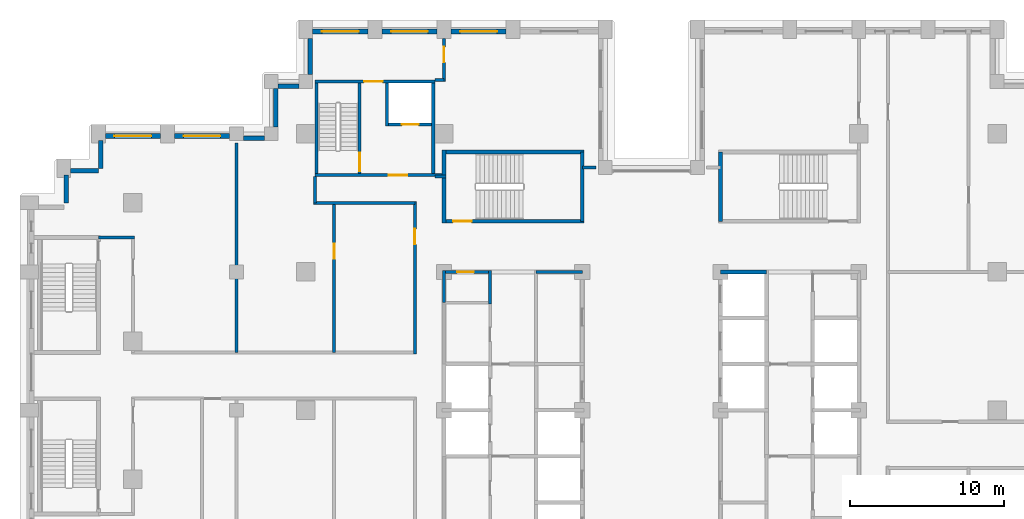
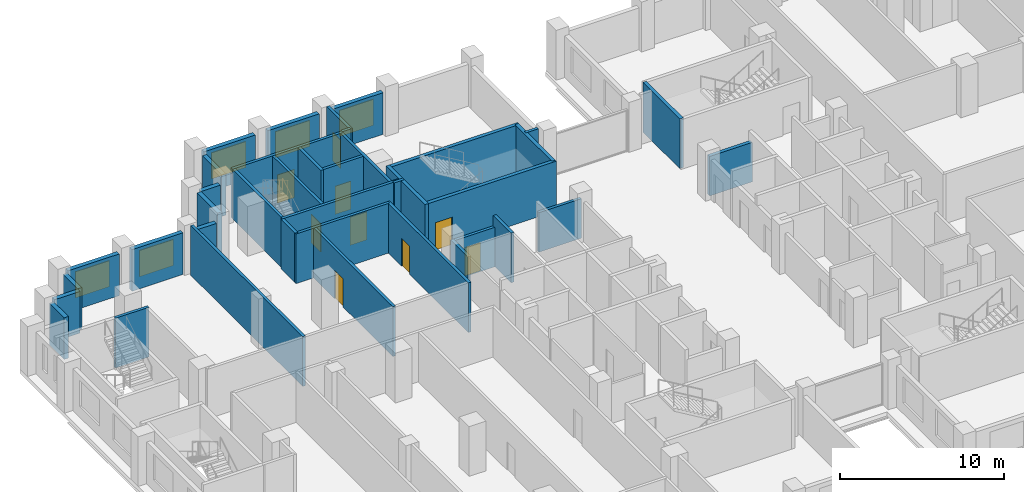
# One storey, part 10 of 16: 39 walls, 9 doors, 5 windows, 14 openings.
"""IFC4 building model written with IfcOpenShell, lengths in metres."""

import ifcopenshell
import ifcopenshell.guid

model = None  # the IFC model being written
_history = None  # IfcOwnerHistory: only IFC2X3 demands one
_inside = {}  # id of a spatial element -> (the spatial element, [elements in it])
_under = {}  # id of a project, library or spatial element -> (it, [spatial elements below it])
_declared = {}  # id of a project -> (the project, [libraries it declares])
_typed = {}  # id of a type object -> (the type object, [elements of that type])
_made_of = {}  # id of a material, layer set ... -> (it, [elements and type objects made of it])


def new_model(schema):
    """Start an empty IFC model of exactly this schema.

    Asked for "IFC4X3", IfcOpenShell would pick the latest addendum, in which some entities
    have other attributes; the version numbers below select the first issue.
    IFC2X3 requires an IfcOwnerHistory on every rooted entity: one is made here for all.
    """
    global model, _history
    if schema == "IFC4X3":
        model = ifcopenshell.file(schema_version=(4, 3, 0, 0))
    else:
        model = ifcopenshell.file(schema=schema)
    _inside.clear()
    _under.clear()
    _declared.clear()
    _typed.clear()
    _made_of.clear()
    _history = None
    if model.schema == "IFC2X3":
        org = make("IfcOrganization", Name="unknown")
        user = make(
            "IfcPersonAndOrganization",
            ThePerson=make("IfcPerson", FamilyName="unknown"),
            TheOrganization=org,
        )
        app = make(
            "IfcApplication",
            ApplicationDeveloper=org,
            Version="unknown",
            ApplicationFullName="unknown",
            ApplicationIdentifier="unknown",
        )
        _history = make(
            "IfcOwnerHistory",
            OwningUser=user,
            OwningApplication=app,
            ChangeAction="ADDED",
            CreationDate=0,
        )
    return model


def make(cls, **values):
    """One entity of the class cls with the attributes given. An attribute that is None is left unset."""
    return model.create_entity(
        cls, **{name: value for name, value in values.items() if value is not None}
    )


def rooted(cls, **values):
    """An entity with a GlobalId (a new one), such as an element, a storey or a relation."""
    return make(cls, GlobalId=ifcopenshell.guid.new(), OwnerHistory=_history, **values)


def si_unit(unit_type, name, prefix=None):
    """IfcSIUnit, for example si_unit("LENGTHUNIT", "METRE", prefix="MILLI")."""
    return make("IfcSIUnit", UnitType=unit_type, Prefix=prefix, Name=name)


def assignment(units):
    """IfcUnitAssignment: the units of a project."""
    return None if units is None else make("IfcUnitAssignment", Units=units)


def point(xyz):
    """IfcCartesianPoint."""
    return None if xyz is None else make("IfcCartesianPoint", Coordinates=xyz)


def direction(xyz):
    """IfcDirection."""
    return None if xyz is None else make("IfcDirection", DirectionRatios=xyz)


def frame(location, z_axis=None, x_axis=None):
    """IfcAxis2Placement3D, a coordinate frame: its origin and axes. An axis left out is left unset."""
    return make(
        "IfcAxis2Placement3D",
        Location=point(location),
        Axis=direction(z_axis),
        RefDirection=direction(x_axis),
    )


def frame_2d(location, x_axis=None):
    """IfcAxis2Placement2D, a coordinate frame in the plane: its origin and x axis."""
    return make(
        "IfcAxis2Placement2D", Location=point(location), RefDirection=direction(x_axis)
    )


def origin():
    """The frame at (0, 0, 0) with its axes left unset."""
    return frame((0.0, 0.0, 0.0))


def place(relative_to, where):
    """IfcLocalPlacement: puts the frame where relative to a parent placement (None: the world)."""
    return make(
        "IfcLocalPlacement", PlacementRelTo=relative_to, RelativePlacement=where
    )


def context(
    kind, dimensions, precision=None, world=None, true_north=None, identifier=None
):
    """IfcGeometricRepresentationContext, for example the 3D "Model" context."""
    return make(
        "IfcGeometricRepresentationContext",
        ContextIdentifier=identifier,
        ContextType=kind,
        CoordinateSpaceDimension=dimensions,
        Precision=precision,
        WorldCoordinateSystem=world,
        TrueNorth=true_north,
    )


def subcontext(parent, identifier, kind, view, scale=None):
    """IfcGeometricRepresentationSubContext, for example "Body" below "Model"."""
    return make(
        "IfcGeometricRepresentationSubContext",
        ContextIdentifier=identifier,
        ContextType=kind,
        ParentContext=parent,
        TargetScale=scale,
        TargetView=view,
    )


def project(units=None, contexts=None):
    """IfcProject with its units and contexts."""
    return rooted(
        "IfcProject",
        Name="project",
        RepresentationContexts=contexts,
        UnitsInContext=assignment(units),
    )


def spatial(cls, under=None, at=None, **own):
    """A site, building, storey or space (cls), placed at a placement, below another one or the project."""
    s = rooted(cls, ObjectPlacement=at, **own)
    if under is not None:
        _under.setdefault(under.id(), (under, []))[1].append(s)
    return s


def profile(cls, at=None, kind="AREA", **sizes):
    """A parametric profile (cls). Its sizes go by their IFC names, for example OverallWidth=200.0."""
    return make(cls, ProfileType=kind, Position=at, **sizes)


def rectangle(**sizes):
    """IfcRectangleProfileDef."""
    return profile("IfcRectangleProfileDef", **sizes)


def extrude(swept, where, along, depth):
    """IfcExtrudedAreaSolid: the profile swept, set in the frame where, extruded along a direction by depth."""
    return make(
        "IfcExtrudedAreaSolid",
        SweptArea=swept,
        Position=where,
        ExtrudedDirection=direction(along),
        Depth=depth,
    )


def shape(context_of_items, identifier, shape_type, items):
    """IfcShapeRepresentation: the items that make up one representation, for example the "Body"."""
    return make(
        "IfcShapeRepresentation",
        ContextOfItems=context_of_items,
        RepresentationIdentifier=identifier,
        RepresentationType=shape_type,
        Items=items,
    )


def material(Name=None, Category=None):
    """IfcMaterial."""
    return make("IfcMaterial", Name=Name, Category=Category)


def layer(
    of_material, thickness, ventilated=None, Name=None, Category=None, Priority=None
):
    """IfcMaterialLayer: one layer of a wall or slab, of a material (None: an air gap)."""
    return make(
        "IfcMaterialLayer",
        Material=of_material,
        LayerThickness=thickness,
        IsVentilated=ventilated,
        Name=Name,
        Category=Category,
        Priority=Priority,
    )


def layer_set(layers, Name=None):
    """IfcMaterialLayerSet."""
    return make("IfcMaterialLayerSet", MaterialLayers=layers, LayerSetName=Name)


def made_of(thing, what):
    """Note that an element or type object is made of a material, layer set ...; save() writes the relation."""
    if what is not None:
        _made_of.setdefault(what.id(), (what, []))[1].append(thing)
    return thing


def type_object(cls, material=None, **own):
    """A type object (cls), such as IfcWallType, which elements share."""
    return made_of(rooted(cls, **own), material)


def element(
    cls,
    number,
    at=None,
    inside=None,
    cuts=None,
    type_object=None,
    material=None,
    context=None,
    identifier="Body",
    shape_type=None,
    held_by="IfcProductDefinitionShape",
    body=None,
    shapes=None,
    **own,
):
    """One element of the class cls, such as IfcWall. Its Tag is "e" and its number.

    at: its placement. inside: the storey or other place that contains it. cuts: it is an
    opening in that element (IfcRelVoidsElement). A single representation is given by context,
    identifier, shape_type and body (its items); several are given by shapes. held_by: the class
    of the entity that holds the representations. save() writes the other relations.
    """
    e = rooted(cls, Tag="e%d" % number, ObjectPlacement=at, **own)
    if body is not None:
        shapes = [shape(context, identifier, shape_type, body)]
    if shapes is not None:
        e.Representation = make(held_by, Representations=shapes)
    if inside is not None:
        _inside.setdefault(inside.id(), (inside, []))[1].append(e)
    if cuts is not None:
        rooted(
            "IfcRelVoidsElement", RelatingBuildingElement=cuts, RelatedOpeningElement=e
        )
    if type_object is not None:
        _typed.setdefault(type_object.id(), (type_object, []))[1].append(e)
    return made_of(e, material)


def fill(opening, filler):
    """IfcRelFillsElement: the door or window that sits in an opening."""
    return rooted(
        "IfcRelFillsElement",
        RelatingOpeningElement=opening,
        RelatedBuildingElement=filler,
    )


def aggregate(whole, parts):
    """IfcRelAggregates: a whole, such as a stair, and the parts it consists of."""
    return rooted("IfcRelAggregates", RelatingObject=whole, RelatedObjects=parts)


def save(model, path):
    """Write the relations noted so far, then the file.

    IfcRelAggregates (storeys below a building ...), IfcRelContainedInSpatialStructure (elements
    in a storey), IfcRelDefinesByType, IfcRelAssociatesMaterial and IfcRelDeclares: one each for
    every whole, place, type object, material and project.
    """
    for whole, parts in _under.values():
        aggregate(whole, parts)
    for where, things in _inside.values():
        rooted(
            "IfcRelContainedInSpatialStructure",
            RelatedElements=things,
            RelatingStructure=where,
        )
    for kind, things in _typed.values():
        rooted("IfcRelDefinesByType", RelatedObjects=things, RelatingType=kind)
    for what, things in _made_of.values():
        rooted("IfcRelAssociatesMaterial", RelatedObjects=things, RelatingMaterial=what)
    for by, libraries in _declared.values():
        rooted("IfcRelDeclares", RelatingContext=by, RelatedDefinitions=libraries)
    model.write(path)


model = new_model("IFC4")

# Units and contexts
model_context = context("Model", 3, precision=1e-05, world=origin(), true_north=direction((0.0, 1.0)))
body_context = subcontext(model_context, "Body", "Model", "MODEL_VIEW")
ifc_project = project(units=[si_unit("LENGTHUNIT", "METRE"), si_unit("AREAUNIT", "SQUARE_METRE"), si_unit("VOLUMEUNIT", "CUBIC_METRE"), si_unit("PLANEANGLEUNIT", "RADIAN"), si_unit("MASSUNIT", "GRAM", prefix="KILO")], contexts=[model_context])

# Site, building, storey
site_placement = place(None, origin())
site = spatial("IfcSite", under=ifc_project, at=site_placement, CompositionType="ELEMENT")
building_placement = place(site_placement, origin())
building = spatial("IfcBuilding", under=site, at=building_placement, Name="Corbelhall Arena Tower", CompositionType="ELEMENT")
storey_placement = place(building_placement, frame((0.0, 0.0, 104.0)))
storey = spatial("IfcBuildingStorey", under=building, at=storey_placement, Name="L18", CompositionType="ELEMENT", Elevation=104.0)

# Walls
ifc_material_1 = material(Name="Precast concrete C40/50 with granite facing", Category="masonry")
ifc_layer_1 = layer(ifc_material_1, 0.300048828125)
ifc_layer_set_1 = layer_set([ifc_layer_1], Name="EV-IW1 Infill panel 300")
wall_type_1 = type_object("IfcWallType", Name="EV-IW1 Infill panel 300", PredefinedType="SOLIDWALL", material=ifc_layer_set_1)
for number, where, z_axis, x_axis, name in (
    (1, (-35.85009765625, 17.550048828125, 0.0), (0.0, 0.0, 1.0), (0.0, -1.0, 0.0), "Infill panel IW1"),
    (2, (-37.800048828125, 15.60009765625, 0.0), (0.0, 0.0, 1.0), (1.0, 0.0, 0.0), "Infill panel IW1"),
    (3, (-38.10009765625, 15.300048828125, 0.0), (0.0, 0.0, 1.0), (0.0, -1.0, 0.0), "Infill panel IW1"),
):
    element("IfcWall", number, at=place(storey_placement, frame(where, z_axis=z_axis, x_axis=x_axis)), inside=storey, type_object=wall_type_1, Name=name, PredefinedType="SOLIDWALL", context=body_context, shape_type="SweptSolid", body=[
        extrude(rectangle(XDim=1.800048828125, YDim=0.300048828125, at=frame_2d((0.89990234375, 0.0))), origin(), (0.0, 0.0, 1.0), 3.10009765625),
    ])
wall_1_placement = place(storey_placement, frame((-22.199951171875, 24.199951171875, 0.0), z_axis=(0.0, 0.0, 1.0), x_axis=(0.0, -1.0, 0.0)))
element("IfcWall", 4, at=wall_1_placement, inside=storey, type_object=wall_type_1, Name="Infill panel IW1", PredefinedType="SOLIDWALL", context=body_context, shape_type="SweptSolid", body=[
    extrude(rectangle(XDim=2.349853515625, YDim=0.300048828125, at=frame_2d((1.1748046875, 0.0))), origin(), (0.0, 0.0, 1.0), 3.10009765625),
])
wall_2_placement = place(storey_placement, frame((-22.949951171875, 21.10009765625, 0.0), z_axis=(0.0, 0.0, 1.0), x_axis=(-1.0, 0.0, 0.0)))
element("IfcWall", 5, at=wall_2_placement, inside=storey, type_object=wall_type_1, Name="Infill panel IW1", PredefinedType="SOLIDWALL", context=body_context, shape_type="SweptSolid", body=[
    extrude(rectangle(XDim=1.35009765625, YDim=0.300048828125, at=frame_2d((0.675048828125, 0.0))), origin(), (0.0, 0.0, 1.0), 3.10009765625),
])
wall_3_placement = place(storey_placement, frame((-24.449951171875, 20.949951171875, 0.0), z_axis=(0.0, 0.0, 1.0), x_axis=(0.0, -1.0, 0.0)))
element("IfcWall", 6, at=wall_3_placement, inside=storey, type_object=wall_type_1, Name="Infill panel IW1", PredefinedType="SOLIDWALL", context=body_context, shape_type="SweptSolid", body=[
    extrude(rectangle(XDim=2.5, YDim=0.300048828125, at=frame_2d((1.25, 0.0))), origin(), (0.0, 0.0, 1.0), 3.10009765625),
])
wall_4_placement = place(storey_placement, frame((-25.199951171875, 17.699951171875, 0.0), z_axis=(0.0, 0.0, 1.0), x_axis=(-1.0, 0.0, 0.0)))
element("IfcWall", 7, at=wall_4_placement, inside=storey, type_object=wall_type_1, Name="Infill panel IW1", PredefinedType="SOLIDWALL", context=body_context, shape_type="SweptSolid", body=[
    extrude(rectangle(XDim=1.35009765625, YDim=0.300048828125, at=frame_2d((0.675048828125, 0.0))), origin(), (0.0, 0.0, 1.0), 3.10009765625),
])

# Wall, opening, window
wall_5_placement = place(storey_placement, frame((-27.449951171875, 17.85009765625, 0.0), z_axis=(0.0, 0.0, 1.0), x_axis=(-1.0, 0.0, 0.0)))
wall_5 = element("IfcWall", 8, at=wall_5_placement, inside=storey, type_object=wall_type_1, Name="Infill panel IW1", PredefinedType="SOLIDWALL", context=body_context, shape_type="SweptSolid", body=[
    extrude(rectangle(XDim=3.60009765625, YDim=0.300048828125, at=frame_2d((1.800048828125, 0.0))), origin(), (0.0, 0.0, 1.0), 3.10009765625),
])
opening_1_placement = place(wall_5_placement, frame((0.60009765625, 0.0, 0.800048828125)))
opening_1 = element("IfcOpeningElement", 9, at=opening_1_placement, cuts=wall_5, Name="Opening WN1", PredefinedType="OPENING", context=body_context, shape_type="SweptSolid", body=[
    extrude(rectangle(XDim=2.39990234375, YDim=1.949951171875, at=frame_2d((1.199951171875, 0.97509765625))), frame((0.0, 0.14990234375, 0.0), z_axis=(0.0, -1.0, 0.0), x_axis=(1.0, 0.0, 0.0)), (0.0, 0.0, 1.0), 0.300048828125),
])
ifc_material_2 = material(Name="Aluminium black anodised", Category="aluminium")
window_type = type_object("IfcWindowType", Name="EV-WN1 Office window", PartitioningType="SINGLE_PANEL", PredefinedType="WINDOW", material=ifc_material_2)
window_1_placement = place(opening_1_placement, origin())
window_1 = element("IfcWindow", 10, at=window_1_placement, inside=storey, type_object=window_type, Name="Window WN1", OverallHeight=1.949951171875, OverallWidth=2.39990234375, PartitioningType="SINGLE_PANEL", PredefinedType="WINDOW", context=body_context, shape_type="SweptSolid", body=[
    extrude(rectangle(XDim=2.39990234375, YDim=1.949951171875, at=frame_2d((1.199951171875, 0.97509765625))), frame((0.0, 0.030029296875, 0.0), z_axis=(0.0, -1.0, 0.0), x_axis=(1.0, 0.0, 0.0)), (0.0, 0.0, 1.0), 0.06005859375),
])
fill(opening_1, window_1)

wall_6_placement = place(storey_placement, frame((-31.949951171875, 17.85009765625, 0.0), z_axis=(0.0, 0.0, 1.0), x_axis=(-1.0, 0.0, 0.0)))
wall_6 = element("IfcWall", 11, at=wall_6_placement, inside=storey, type_object=wall_type_1, Name="Infill panel IW1", PredefinedType="SOLIDWALL", context=body_context, shape_type="SweptSolid", body=[
    extrude(rectangle(XDim=3.60009765625, YDim=0.300048828125, at=frame_2d((1.800048828125, 0.0))), origin(), (0.0, 0.0, 1.0), 3.10009765625),
])
opening_2_placement = place(wall_6_placement, frame((0.60009765625, 0.0, 0.800048828125)))
opening_2 = element("IfcOpeningElement", 12, at=opening_2_placement, cuts=wall_6, Name="Opening WN1", PredefinedType="OPENING", context=body_context, shape_type="SweptSolid", body=[
    extrude(rectangle(XDim=2.39990234375, YDim=1.949951171875, at=frame_2d((1.199951171875, 0.97509765625))), frame((0.0, 0.14990234375, 0.0), z_axis=(0.0, -1.0, 0.0), x_axis=(1.0, 0.0, 0.0)), (0.0, 0.0, 1.0), 0.300048828125),
])
window_2_placement = place(opening_2_placement, origin())
window_2 = element("IfcWindow", 13, at=window_2_placement, inside=storey, type_object=window_type, Name="Window WN1", OverallHeight=1.949951171875, OverallWidth=2.39990234375, PartitioningType="SINGLE_PANEL", PredefinedType="WINDOW", context=body_context, shape_type="SweptSolid", body=[
    extrude(rectangle(XDim=2.39990234375, YDim=1.949951171875, at=frame_2d((1.199951171875, 0.97509765625))), frame((0.0, 0.030029296875, 0.0), z_axis=(0.0, -1.0, 0.0), x_axis=(1.0, 0.0, 0.0)), (0.0, 0.0, 1.0), 0.06005859375),
])
fill(opening_2, window_2)

wall_7_placement = place(storey_placement, frame((-9.449951171875, 24.64990234375, 0.0), z_axis=(0.0, 0.0, 1.0), x_axis=(-1.0, 0.0, 0.0)))
wall_7 = element("IfcWall", 14, at=wall_7_placement, inside=storey, type_object=wall_type_1, Name="Infill panel IW1", PredefinedType="SOLIDWALL", context=body_context, shape_type="SweptSolid", body=[
    extrude(rectangle(XDim=3.60009765625, YDim=0.300048828125, at=frame_2d((1.800048828125, 0.0))), origin(), (0.0, 0.0, 1.0), 3.10009765625),
])
opening_3_placement = place(wall_7_placement, frame((0.60009765625, 0.0, 0.800048828125)))
opening_3 = element("IfcOpeningElement", 15, at=opening_3_placement, cuts=wall_7, Name="Opening WN1", PredefinedType="OPENING", context=body_context, shape_type="SweptSolid", body=[
    extrude(rectangle(XDim=2.39990234375, YDim=1.949951171875, at=frame_2d((1.199951171875, 0.97509765625))), frame((0.0, 0.14990234375, 0.0), z_axis=(0.0, -1.0, 0.0), x_axis=(1.0, 0.0, 0.0)), (0.0, 0.0, 1.0), 0.300048828125),
])
window_3_placement = place(opening_3_placement, origin())
window_3 = element("IfcWindow", 16, at=window_3_placement, inside=storey, type_object=window_type, Name="Window WN1", OverallHeight=1.949951171875, OverallWidth=2.39990234375, PartitioningType="SINGLE_PANEL", PredefinedType="WINDOW", context=body_context, shape_type="SweptSolid", body=[
    extrude(rectangle(XDim=2.39990234375, YDim=1.949951171875, at=frame_2d((1.199951171875, 0.97509765625))), frame((0.0, 0.030029296875, 0.0), z_axis=(0.0, -1.0, 0.0), x_axis=(1.0, 0.0, 0.0)), (0.0, 0.0, 1.0), 0.06005859375),
])
fill(opening_3, window_3)

wall_8_placement = place(storey_placement, frame((-13.949951171875, 24.64990234375, 0.0), z_axis=(0.0, 0.0, 1.0), x_axis=(-1.0, 0.0, 0.0)))
wall_8 = element("IfcWall", 17, at=wall_8_placement, inside=storey, type_object=wall_type_1, Name="Infill panel IW1", PredefinedType="SOLIDWALL", context=body_context, shape_type="SweptSolid", body=[
    extrude(rectangle(XDim=3.60009765625, YDim=0.300048828125, at=frame_2d((1.800048828125, 0.0))), origin(), (0.0, 0.0, 1.0), 3.10009765625),
])
opening_4_placement = place(wall_8_placement, frame((0.60009765625, 0.0, 0.800048828125)))
opening_4 = element("IfcOpeningElement", 18, at=opening_4_placement, cuts=wall_8, Name="Opening WN1", PredefinedType="OPENING", context=body_context, shape_type="SweptSolid", body=[
    extrude(rectangle(XDim=2.39990234375, YDim=1.949951171875, at=frame_2d((1.199951171875, 0.97509765625))), frame((0.0, 0.14990234375, 0.0), z_axis=(0.0, -1.0, 0.0), x_axis=(1.0, 0.0, 0.0)), (0.0, 0.0, 1.0), 0.300048828125),
])
window_4_placement = place(opening_4_placement, origin())
window_4 = element("IfcWindow", 19, at=window_4_placement, inside=storey, type_object=window_type, Name="Window WN1", OverallHeight=1.949951171875, OverallWidth=2.39990234375, PartitioningType="SINGLE_PANEL", PredefinedType="WINDOW", context=body_context, shape_type="SweptSolid", body=[
    extrude(rectangle(XDim=2.39990234375, YDim=1.949951171875, at=frame_2d((1.199951171875, 0.97509765625))), frame((0.0, 0.030029296875, 0.0), z_axis=(0.0, -1.0, 0.0), x_axis=(1.0, 0.0, 0.0)), (0.0, 0.0, 1.0), 0.06005859375),
])
fill(opening_4, window_4)

wall_9_placement = place(storey_placement, frame((-18.449951171875, 24.64990234375, 0.0), z_axis=(0.0, 0.0, 1.0), x_axis=(-1.0, 0.0, 0.0)))
wall_9 = element("IfcWall", 20, at=wall_9_placement, inside=storey, type_object=wall_type_1, Name="Infill panel IW1", PredefinedType="SOLIDWALL", context=body_context, shape_type="SweptSolid", body=[
    extrude(rectangle(XDim=3.60009765625, YDim=0.300048828125, at=frame_2d((1.800048828125, 0.0))), origin(), (0.0, 0.0, 1.0), 3.10009765625),
])
opening_5_placement = place(wall_9_placement, frame((0.60009765625, 0.0, 0.800048828125)))
opening_5 = element("IfcOpeningElement", 21, at=opening_5_placement, cuts=wall_9, Name="Opening WN1", PredefinedType="OPENING", context=body_context, shape_type="SweptSolid", body=[
    extrude(rectangle(XDim=2.39990234375, YDim=1.949951171875, at=frame_2d((1.199951171875, 0.97509765625))), frame((0.0, 0.14990234375, 0.0), z_axis=(0.0, -1.0, 0.0), x_axis=(1.0, 0.0, 0.0)), (0.0, 0.0, 1.0), 0.300048828125),
])
window_5_placement = place(opening_5_placement, origin())
window_5 = element("IfcWindow", 22, at=window_5_placement, inside=storey, type_object=window_type, Name="Window WN1", OverallHeight=1.949951171875, OverallWidth=2.39990234375, PartitioningType="SINGLE_PANEL", PredefinedType="WINDOW", context=body_context, shape_type="SweptSolid", body=[
    extrude(rectangle(XDim=2.39990234375, YDim=1.949951171875, at=frame_2d((1.199951171875, 0.97509765625))), frame((0.0, 0.030029296875, 0.0), z_axis=(0.0, -1.0, 0.0), x_axis=(1.0, 0.0, 0.0)), (0.0, 0.0, 1.0), 0.06005859375),
])
fill(opening_5, window_5)

# Walls
ifc_material_3 = material(Name="Gypsum board on steel stud, acoustic", Category="steel")
ifc_layer_2 = layer(ifc_material_3, 0.199951171875)
ifc_layer_set_2 = layer_set([ifc_layer_2], Name="IN-W-DM200")
wall_type_2 = type_object("IfcWallType", Name="IN-W-DM200", PredefinedType="PARTITIONING", material=ifc_layer_set_2)
wall_10_placement = place(storey_placement, frame((-36.0, 11.25, 0.0), z_axis=(0.0, 0.0, 1.0), x_axis=(1.0, 0.0, 0.0)))
element("IfcWall", 23, at=wall_10_placement, inside=storey, type_object=wall_type_2, Name="Partition 001", PredefinedType="PARTITIONING", context=body_context, shape_type="SweptSolid", body=[
    extrude(rectangle(XDim=2.35009765625, YDim=0.199951171875, at=frame_2d((1.175048828125, 0.0))), origin(), (0.0, 0.0, 1.0), 3.699951171875),
])
wall_11_placement = place(storey_placement, frame((-27.0, 3.75, 0.0), z_axis=(0.0, 0.0, 1.0), x_axis=(0.0, 1.0, 0.0)))
element("IfcWall", 24, at=wall_11_placement, inside=storey, type_object=wall_type_2, Name="Partition 009", PredefinedType="PARTITIONING", context=body_context, shape_type="SweptSolid", body=[
    extrude(rectangle(XDim=13.64990234375, YDim=0.199951171875, at=frame_2d((6.824951171875, 0.0))), origin(), (0.0, 0.0, 1.0), 3.699951171875),
])
wall_12_placement = place(storey_placement, frame((-21.89990234375, 13.5, 0.0), z_axis=(0.0, 0.0, 1.0), x_axis=(0.0, 1.0, 0.0)))
element("IfcWall", 25, at=wall_12_placement, inside=storey, type_object=wall_type_2, Name="Partition 011", PredefinedType="PARTITIONING", context=body_context, shape_type="SweptSolid", body=[
    extrude(rectangle(XDim=1.699951171875, YDim=0.199951171875, at=frame_2d((0.85009765625, 0.0))), origin(), (0.0, 0.0, 1.0), 3.699951171875),
])

# Wall, opening, door
wall_13_placement = place(storey_placement, frame((-20.64990234375, 3.75, 0.0), z_axis=(0.0, 0.0, 1.0), x_axis=(0.0, 1.0, 0.0)))
wall_13 = element("IfcWall", 26, at=wall_13_placement, inside=storey, type_object=wall_type_2, Name="Partition 013", PredefinedType="PARTITIONING", context=body_context, shape_type="SweptSolid", body=[
    extrude(rectangle(XDim=9.75, YDim=0.199951171875, at=frame_2d((4.875, 0.0))), origin(), (0.0, 0.0, 1.0), 3.699951171875),
])
opening_6_placement = place(wall_13_placement, frame((6.10009765625, 0.0, 0.0)))
opening_6 = element("IfcOpeningElement", 27, at=opening_6_placement, cuts=wall_13, Name="Opening 04028", PredefinedType="OPENING", context=body_context, shape_type="SweptSolid", body=[
    extrude(rectangle(XDim=1.0, YDim=2.10009765625, at=frame_2d((0.5, 1.050048828125))), frame((0.0, 0.10009765625, 0.0), z_axis=(0.0, -1.0, 0.0), x_axis=(1.0, 0.0, 0.0)), (0.0, 0.0, 1.0), 0.199951171875),
])
ifc_material_4 = material(Name="Steel door set", Category="steel")
door_type_1 = type_object("IfcDoorType", Name="IN-D-SW100", OperationType="NOTDEFINED", PredefinedType="DOOR", material=ifc_material_4)
door_1_placement = place(opening_6_placement, origin())
door_1 = element("IfcDoor", 28, at=door_1_placement, inside=storey, type_object=door_type_1, Name="Door 028", OperationType="SINGLE_SWING_LEFT", OverallHeight=2.10009765625, OverallWidth=1.0, PredefinedType="DOOR", context=body_context, shape_type="SweptSolid", body=[
    extrude(rectangle(XDim=1.0, YDim=2.10009765625, at=frame_2d((0.5, 1.050048828125))), frame((0.0, 0.02490234375, 0.0), z_axis=(0.0, -1.0, 0.0), x_axis=(1.0, 0.0, 0.0)), (0.0, 0.0, 1.0), 0.050048828125),
])
fill(opening_6, door_1)

# Wall
wall_14_placement = place(storey_placement, frame((-15.39990234375, 13.5, 0.0), z_axis=(0.0, 0.0, 1.0), x_axis=(-1.0, 0.0, 0.0)))
element("IfcWall", 29, at=wall_14_placement, inside=storey, type_object=wall_type_2, Name="Partition 014", PredefinedType="PARTITIONING", context=body_context, shape_type="SweptSolid", body=[
    extrude(rectangle(XDim=6.60009765625, YDim=0.199951171875, at=frame_2d((3.300048828125, 0.0))), origin(), (0.0, 0.0, 1.0), 3.699951171875),
])

# Wall, opening, door
wall_15_placement = place(storey_placement, frame((-15.39990234375, 3.64990234375, 0.0), z_axis=(0.0, 0.0, 1.0), x_axis=(0.0, 1.0, 0.0)))
wall_15 = element("IfcWall", 30, at=wall_15_placement, inside=storey, type_object=wall_type_2, Name="Partition 016", PredefinedType="PARTITIONING", context=body_context, shape_type="SweptSolid", body=[
    extrude(rectangle(XDim=9.9501953125, YDim=0.199951171875, at=frame_2d((4.97509765625, 0.0))), origin(), (0.0, 0.0, 1.0), 3.699951171875),
])
opening_7_placement = place(wall_15_placement, frame((7.14990234375, 0.0, 0.0)))
opening_7 = element("IfcOpeningElement", 31, at=opening_7_placement, cuts=wall_15, Name="Opening 04027", PredefinedType="OPENING", context=body_context, shape_type="SweptSolid", body=[
    extrude(rectangle(XDim=1.0, YDim=2.10009765625, at=frame_2d((0.5, 1.050048828125))), frame((0.0, 0.10009765625, 0.0), z_axis=(0.0, -1.0, 0.0), x_axis=(1.0, 0.0, 0.0)), (0.0, 0.0, 1.0), 0.199951171875),
])
door_2_placement = place(opening_7_placement, origin())
door_2 = element("IfcDoor", 32, at=door_2_placement, inside=storey, type_object=door_type_1, Name="Door 027", OperationType="SINGLE_SWING_RIGHT", OverallHeight=2.10009765625, OverallWidth=1.0, PredefinedType="DOOR", context=body_context, shape_type="SweptSolid", body=[
    extrude(rectangle(XDim=1.0, YDim=2.10009765625, at=frame_2d((0.5, 1.050048828125))), frame((0.0, 0.02490234375, 0.0), z_axis=(0.0, -1.0, 0.0), x_axis=(1.0, 0.0, 0.0)), (0.0, 0.0, 1.0), 0.050048828125),
])
fill(opening_7, door_2)

# Walls
wall_16_placement = place(storey_placement, frame((-14.10009765625, 15.199951171875, 0.0), z_axis=(0.0, 0.0, 1.0), x_axis=(1.0, 0.0, 0.0)))
element("IfcWall", 33, at=wall_16_placement, inside=storey, type_object=wall_type_2, Name="Partition 017", PredefinedType="PARTITIONING", context=body_context, shape_type="SweptSolid", body=[
    extrude(rectangle(XDim=0.72509765625, YDim=0.199951171875, at=frame_2d((0.362548828125, 0.0))), origin(), (0.0, 0.0, 1.0), 3.699951171875),
])
wall_17_placement = place(storey_placement, frame((-13.5, 21.5, 0.0), z_axis=(0.0, 0.0, 1.0), x_axis=(-1.0, 0.0, 0.0)))
element("IfcWall", 34, at=wall_17_placement, inside=storey, type_object=wall_type_2, Name="Partition 019", PredefinedType="PARTITIONING", context=body_context, shape_type="SweptSolid", body=[
    extrude(rectangle(XDim=0.60009765625, YDim=0.199951171875, at=frame_2d((0.300048828125, 0.0))), origin(), (0.0, 0.0, 1.0), 3.699951171875),
])

# Wall, opening, door
wall_18_placement = place(storey_placement, frame((-13.5, 24.199951171875, 0.0), z_axis=(0.0, 0.0, 1.0), x_axis=(0.0, -1.0, 0.0)))
wall_18 = element("IfcWall", 35, at=wall_18_placement, inside=storey, type_object=wall_type_2, Name="Partition 020", PredefinedType="PARTITIONING", context=body_context, shape_type="SweptSolid", body=[
    extrude(rectangle(XDim=2.800048828125, YDim=0.199951171875, at=frame_2d((1.39990234375, 0.0))), origin(), (0.0, 0.0, 1.0), 3.699951171875),
])
opening_8_placement = place(wall_18_placement, frame((0.550048828125, 0.0, 0.0)))
opening_8 = element("IfcOpeningElement", 36, at=opening_8_placement, cuts=wall_18, Name="Opening 04023", PredefinedType="OPENING", context=body_context, shape_type="SweptSolid", body=[
    extrude(rectangle(XDim=1.0, YDim=2.10009765625, at=frame_2d((0.5, 1.050048828125))), frame((0.0, 0.10009765625, 0.0), z_axis=(0.0, -1.0, 0.0), x_axis=(1.0, 0.0, 0.0)), (0.0, 0.0, 1.0), 0.199951171875),
])
door_3_placement = place(opening_8_placement, origin())
door_3 = element("IfcDoor", 37, at=door_3_placement, inside=storey, type_object=door_type_1, Name="Door 023", OperationType="SINGLE_SWING_RIGHT", OverallHeight=2.10009765625, OverallWidth=1.0, PredefinedType="DOOR", context=body_context, shape_type="SweptSolid", body=[
    extrude(rectangle(XDim=1.0, YDim=2.10009765625, at=frame_2d((0.5, 1.050048828125))), frame((0.0, 0.02490234375, 0.0), z_axis=(0.0, -1.0, 0.0), x_axis=(1.0, 0.0, 0.0)), (0.0, 0.0, 1.0), 0.050048828125),
])
fill(opening_8, door_3)

# Wall
wall_19_placement = place(storey_placement, frame((-4.5, 15.800048828125, 0.0), z_axis=(0.0, 0.0, 1.0), x_axis=(1.0, 0.0, 0.0)))
element("IfcWall", 38, at=wall_19_placement, inside=storey, type_object=wall_type_2, Name="Partition 021", PredefinedType="PARTITIONING", context=body_context, shape_type="SweptSolid", body=[
    extrude(rectangle(XDim=0.89990234375, YDim=0.199951171875, at=frame_2d((0.449951171875, 0.0))), origin(), (0.0, 0.0, 1.0), 3.699951171875),
])

# Wall, opening, door
ifc_material_5 = material(Name="Concrete C40/50", Category="concrete")
ifc_layer_3 = layer(ifc_material_5, 0.199951171875)
ifc_layer_set_3 = layer_set([ifc_layer_3], Name="IN-W-EAR200")
wall_type_3 = type_object("IfcWallType", Name="IN-W-EAR200", PredefinedType="SOLIDWALL", material=ifc_layer_set_3)
wall_20_placement = place(storey_placement, frame((-21.89990234375, 15.300048828125, 0.0), z_axis=(0.0, 0.0, 1.0), x_axis=(1.0, 0.0, 0.0)))
wall_20 = element("IfcWall", 39, at=wall_20_placement, inside=storey, type_object=wall_type_3, Name="Fire service turret wall south", PredefinedType="SOLIDWALL", context=body_context, shape_type="SweptSolid", body=[
    extrude(rectangle(XDim=8.27490234375, YDim=0.199951171875, at=frame_2d((4.137451171875, 0.0))), origin(), (0.0, 0.0, 1.0), 3.699951171875),
])
opening_9_placement = place(wall_20_placement, frame((4.800048828125, 0.0, 0.0)))
opening_9 = element("IfcOpeningElement", 40, at=opening_9_placement, cuts=wall_20, Name="Opening E042", PredefinedType="OPENING", context=body_context, shape_type="SweptSolid", body=[
    extrude(rectangle(XDim=1.199951171875, YDim=2.10009765625, at=frame_2d((0.60009765625, 1.050048828125))), frame((0.0, 0.10009765625, 0.0), z_axis=(0.0, -1.0, 0.0), x_axis=(1.0, 0.0, 0.0)), (0.0, 0.0, 1.0), 0.199951171875),
])
door_type_2 = type_object("IfcDoorType", Name="IN-D-ST120", OperationType="NOTDEFINED", PredefinedType="DOOR", material=ifc_material_4)
door_4_placement = place(opening_9_placement, origin())
door_4 = element("IfcDoor", 41, at=door_4_placement, inside=storey, type_object=door_type_2, Name="Door from fire service lift lobby to circulation", OperationType="SINGLE_SWING_RIGHT", OverallHeight=2.10009765625, OverallWidth=1.199951171875, PredefinedType="DOOR", context=body_context, shape_type="SweptSolid", body=[
    extrude(rectangle(XDim=1.199951171875, YDim=2.10009765625, at=frame_2d((0.60009765625, 1.050048828125))), frame((0.0, 0.02490234375, 0.0), z_axis=(0.0, -1.0, 0.0), x_axis=(1.0, 0.0, 0.0)), (0.0, 0.0, 1.0), 0.050048828125),
])
fill(opening_9, door_4)

wall_21_placement = place(storey_placement, frame((-21.89990234375, 21.39990234375, 0.0), z_axis=(0.0, 0.0, 1.0), x_axis=(1.0, 0.0, 0.0)))
wall_21 = element("IfcWall", 42, at=wall_21_placement, inside=storey, type_object=wall_type_3, Name="Fire service turret wall north", PredefinedType="SOLIDWALL", context=body_context, shape_type="SweptSolid", body=[
    extrude(rectangle(XDim=7.7998046875, YDim=0.199951171875, at=frame_2d((3.89990234375, 0.0))), origin(), (0.0, 0.0, 1.0), 3.699951171875),
])
opening_10_placement = place(wall_21_placement, frame((3.199951171875, 0.0, 0.0)))
opening_10 = element("IfcOpeningElement", 43, at=opening_10_placement, cuts=wall_21, Name="Opening E043", PredefinedType="OPENING", context=body_context, shape_type="SweptSolid", body=[
    extrude(rectangle(XDim=1.199951171875, YDim=2.10009765625, at=frame_2d((0.60009765625, 1.050048828125))), frame((0.0, 0.10009765625, 0.0), z_axis=(0.0, -1.0, 0.0), x_axis=(1.0, 0.0, 0.0)), (0.0, 0.0, 1.0), 0.199951171875),
])
door_5_placement = place(opening_10_placement, origin())
door_5 = element("IfcDoor", 44, at=door_5_placement, inside=storey, type_object=door_type_2, Name="Door from fire service lift lobby to the north gallery", OperationType="SINGLE_SWING_LEFT", OverallHeight=2.10009765625, OverallWidth=1.199951171875, PredefinedType="DOOR", context=body_context, shape_type="SweptSolid", body=[
    extrude(rectangle(XDim=1.199951171875, YDim=2.10009765625, at=frame_2d((0.60009765625, 1.050048828125))), frame((0.0, 0.02490234375, 0.0), z_axis=(0.0, -1.0, 0.0), x_axis=(1.0, 0.0, 0.0)), (0.0, 0.0, 1.0), 0.050048828125),
])
fill(opening_10, door_5)

# Walls
for number, where, z_axis, x_axis, name in (
    (45, (-21.800048828125, 15.39990234375, 0.0), (0.0, 0.0, 1.0), (0.0, 1.0, 0.0), "Fire service turret wall west"),
    (46, (-14.199951171875, 15.39990234375, 0.0), (0.0, 0.0, 1.0), (0.0, 1.0, 0.0), "Fire service turret wall east"),
):
    element("IfcWall", number, at=place(storey_placement, frame(where, z_axis=z_axis, x_axis=x_axis)), inside=storey, type_object=wall_type_3, Name=name, PredefinedType="SOLIDWALL", context=body_context, shape_type="SweptSolid", body=[
        extrude(rectangle(XDim=5.900146484375, YDim=0.199951171875, at=frame_2d((2.9501953125, 0.0))), origin(), (0.0, 0.0, 1.0), 3.699951171875),
    ])

# Wall, opening, door
wall_22_placement = place(storey_placement, frame((-18.989990234375, 15.39990234375, 0.0), z_axis=(0.0, 0.0, 1.0), x_axis=(0.0, 1.0, 0.0)))
wall_22 = element("IfcWall", 47, at=wall_22_placement, inside=storey, type_object=wall_type_3, Name="Fire service turret wall stair", PredefinedType="SOLIDWALL", context=body_context, shape_type="SweptSolid", body=[
    extrude(rectangle(XDim=5.900146484375, YDim=0.199951171875, at=frame_2d((2.9501953125, 0.0))), origin(), (0.0, 0.0, 1.0), 3.699951171875),
])
opening_11_placement = place(wall_22_placement, frame((0.14990234375, 0.0, 0.0)))
opening_11 = element("IfcOpeningElement", 48, at=opening_11_placement, cuts=wall_22, Name="Opening E041", PredefinedType="OPENING", context=body_context, shape_type="SweptSolid", body=[
    extrude(rectangle(XDim=1.199951171875, YDim=2.10009765625, at=frame_2d((0.60009765625, 1.050048828125))), frame((0.0, 0.10009765625, 0.0), z_axis=(0.0, -1.0, 0.0), x_axis=(1.0, 0.0, 0.0)), (0.0, 0.0, 1.0), 0.199951171875),
])
door_6_placement = place(opening_11_placement, origin())
door_6 = element("IfcDoor", 49, at=door_6_placement, inside=storey, type_object=door_type_2, Name="Stair door to fire service lobby", OperationType="SINGLE_SWING_LEFT", OverallHeight=2.10009765625, OverallWidth=1.199951171875, PredefinedType="DOOR", context=body_context, shape_type="SweptSolid", body=[
    extrude(rectangle(XDim=1.199951171875, YDim=2.10009765625, at=frame_2d((0.60009765625, 1.050048828125))), frame((0.0, 0.02490234375, 0.0), z_axis=(0.0, -1.0, 0.0), x_axis=(1.0, 0.0, 0.0)), (0.0, 0.0, 1.0), 0.050048828125),
])
fill(opening_11, door_6)

# Wall
wall_23_placement = place(storey_placement, frame((-17.199951171875, 18.5, 0.0), z_axis=(0.0, 0.0, 1.0), x_axis=(0.0, 1.0, 0.0)))
element("IfcWall", 50, at=wall_23_placement, inside=storey, type_object=wall_type_3, Name="Fire service turret wall hoistway west", PredefinedType="SOLIDWALL", context=body_context, shape_type="SweptSolid", body=[
    extrude(rectangle(XDim=2.800048828125, YDim=0.199951171875, at=frame_2d((1.39990234375, 0.0))), origin(), (0.0, 0.0, 1.0), 3.699951171875),
])

# Wall, opening, door
wall_24_placement = place(storey_placement, frame((-17.10009765625, 18.60009765625, 0.0), z_axis=(0.0, 0.0, 1.0), x_axis=(1.0, 0.0, 0.0)))
wall_24 = element("IfcWall", 51, at=wall_24_placement, inside=storey, type_object=wall_type_3, Name="Fire service turret wall hoistway south", PredefinedType="SOLIDWALL", context=body_context, shape_type="SweptSolid", body=[
    extrude(rectangle(XDim=2.800048828125, YDim=0.199951171875, at=frame_2d((1.39990234375, 0.0))), origin(), (0.0, 0.0, 1.0), 3.699951171875),
])
opening_12_placement = place(wall_24_placement, frame((0.85009765625, 0.0, 0.0)))
opening_12 = element("IfcOpeningElement", 52, at=opening_12_placement, cuts=wall_24, Name="Opening LD", PredefinedType="OPENING", context=body_context, shape_type="SweptSolid", body=[
    extrude(rectangle(XDim=1.10009765625, YDim=2.10009765625, at=frame_2d((0.550048828125, 1.050048828125))), frame((0.0, 0.10009765625, 0.0), z_axis=(0.0, -1.0, 0.0), x_axis=(1.0, 0.0, 0.0)), (0.0, 0.0, 1.0), 0.199951171875),
])
door_type_3 = type_object("IfcDoorType", Name="IN-D-LD110", OperationType="NOTDEFINED", PredefinedType="DOOR", material=ifc_material_4)
door_7_placement = place(opening_12_placement, origin())
door_7 = element("IfcDoor", 53, at=door_7_placement, inside=storey, type_object=door_type_3, Name="Landing door FS1", OperationType="SLIDING_TO_LEFT", OverallHeight=2.10009765625, OverallWidth=1.10009765625, PredefinedType="DOOR", context=body_context, shape_type="SweptSolid", body=[
    extrude(rectangle(XDim=1.10009765625, YDim=2.10009765625, at=frame_2d((0.550048828125, 1.050048828125))), frame((0.0, 0.02490234375, 0.0), z_axis=(0.0, -1.0, 0.0), x_axis=(1.0, 0.0, 0.0)), (0.0, 0.0, 1.0), 0.050048828125),
])
fill(opening_12, door_7)

# Walls
ifc_material_6 = material(Name="Concrete block wall", Category="concrete")
ifc_layer_4 = layer(ifc_material_6, 0.199951171875)
ifc_layer_set_4 = layer_set([ifc_layer_4], Name="IN-W-RS200")
wall_type_4 = type_object("IfcWallType", Name="IN-W-RS200", PredefinedType="SOLIDWALL", material=ifc_layer_set_4)
wall_25_placement = place(storey_placement, frame((-10.5, 6.925048828125, 0.0), z_axis=(0.0, 0.0, 1.0), x_axis=(0.0, 1.0, 0.0)))
element("IfcWall", 54, at=wall_25_placement, inside=storey, type_object=wall_type_4, Name="Partition 046", PredefinedType="SOLIDWALL", context=body_context, shape_type="SweptSolid", body=[
    extrude(rectangle(XDim=2.175048828125, YDim=0.199951171875, at=frame_2d((1.08740234375, 0.0))), origin(), (0.0, 0.0, 1.0), 3.699951171875),
])
ifc_layer_5 = layer(ifc_material_6, 0.199951171875)
ifc_layer_set_5 = layer_set([ifc_layer_5], Name="IN-W-RS200 under beam 762 mm")
wall_type_5 = type_object("IfcWallType", Name="IN-W-RS200 under beam 762 mm", PredefinedType="SOLIDWALL", material=ifc_layer_set_5)
wall_26_placement = place(storey_placement, frame((-13.5, 7.0, 0.0), z_axis=(0.0, 0.0, 1.0), x_axis=(0.0, 1.0, 0.0)))
element("IfcWall", 55, at=wall_26_placement, inside=storey, type_object=wall_type_5, Name="Partition 044", PredefinedType="SOLIDWALL", context=body_context, shape_type="SweptSolid", body=[
    extrude(rectangle(XDim=2.10009765625, YDim=0.199951171875, at=frame_2d((1.050048828125, 0.0))), origin(), (0.0, 0.0, 1.0), 2.93798828125),
])

# Wall, opening, door
wall_27_placement = place(storey_placement, frame((-13.5, 9.0, 0.0), z_axis=(0.0, 0.0, 1.0), x_axis=(1.0, 0.0, 0.0)))
wall_27 = element("IfcWall", 56, at=wall_27_placement, inside=storey, type_object=wall_type_5, Name="Partition 045", PredefinedType="SOLIDWALL", context=body_context, shape_type="SweptSolid", body=[
    extrude(rectangle(XDim=3.0, YDim=0.199951171875, at=frame_2d((1.5, 0.0))), origin(), (0.0, 0.0, 1.0), 2.93798828125),
])
opening_13_placement = place(wall_27_placement, frame((0.85009765625, 0.0, 0.0)))
opening_13 = element("IfcOpeningElement", 57, at=opening_13_placement, cuts=wall_27, Name="Opening 04007", PredefinedType="OPENING", context=body_context, shape_type="SweptSolid", body=[
    extrude(rectangle(XDim=1.10009765625, YDim=2.10009765625, at=frame_2d((0.550048828125, 1.050048828125))), frame((0.0, 0.10009765625, 0.0), z_axis=(0.0, -1.0, 0.0), x_axis=(1.0, 0.0, 0.0)), (0.0, 0.0, 1.0), 0.199951171875),
])
door_type_4 = type_object("IfcDoorType", Name="IN-D-FD110", OperationType="NOTDEFINED", PredefinedType="DOOR", material=ifc_material_4)
door_8_placement = place(opening_13_placement, origin())
door_8 = element("IfcDoor", 58, at=door_8_placement, inside=storey, type_object=door_type_4, Name="Door 007", OperationType="SINGLE_SWING_RIGHT", OverallHeight=2.10009765625, OverallWidth=1.10009765625, PredefinedType="DOOR", context=body_context, shape_type="SweptSolid", body=[
    extrude(rectangle(XDim=1.10009765625, YDim=2.10009765625, at=frame_2d((0.550048828125, 1.050048828125))), frame((0.0, 0.02490234375, 0.0), z_axis=(0.0, -1.0, 0.0), x_axis=(1.0, 0.0, 0.0)), (0.0, 0.0, 1.0), 0.050048828125),
])
fill(opening_13, door_8)

# Walls
wall_28_placement = place(storey_placement, frame((-7.5, 9.0, 0.0), z_axis=(0.0, 0.0, 1.0), x_axis=(1.0, 0.0, 0.0)))
element("IfcWall", 59, at=wall_28_placement, inside=storey, type_object=wall_type_5, Name="Partition 049", PredefinedType="SOLIDWALL", context=body_context, shape_type="SweptSolid", body=[
    extrude(rectangle(XDim=3.0, YDim=0.199951171875, at=frame_2d((1.5, 0.0))), origin(), (0.0, 0.0, 1.0), 2.93798828125),
])
ifc_layer_6 = layer(ifc_material_5, 0.25)
ifc_layer_set_6 = layer_set([ifc_layer_6], Name="IN-W-SH250 under beam 762 mm")
wall_type_6 = type_object("IfcWallType", Name="IN-W-SH250 under beam 762 mm", PredefinedType="SOLIDWALL", material=ifc_layer_set_6)
wall_29_placement = place(storey_placement, frame((4.5, 9.0, 0.0), z_axis=(0.0, 0.0, 1.0), x_axis=(1.0, 0.0, 0.0)))
element("IfcWall", 60, at=wall_29_placement, inside=storey, type_object=wall_type_6, Name="Shaft wall 074", PredefinedType="SOLIDWALL", context=body_context, shape_type="SweptSolid", body=[
    extrude(rectangle(XDim=3.0, YDim=0.25, at=frame_2d((1.5, 0.0))), origin(), (0.0, 0.0, 1.0), 2.93798828125),
])

# Wall, opening, door
ifc_layer_7 = layer(ifc_material_5, 0.25)
ifc_layer_set_7 = layer_set([ifc_layer_7], Name="IN-W-ST250")
wall_type_7 = type_object("IfcWallType", Name="IN-W-ST250", PredefinedType="SOLIDWALL", material=ifc_layer_set_7)
wall_30_placement = place(storey_placement, frame((-13.5, 12.300048828125, 0.0), z_axis=(0.0, 0.0, 1.0), x_axis=(1.0, 0.0, 0.0)))
wall_30 = element("IfcWall", 61, at=wall_30_placement, inside=storey, type_object=wall_type_7, Name="Shaft wall 088", PredefinedType="SOLIDWALL", context=body_context, shape_type="SweptSolid", body=[
    extrude(rectangle(XDim=9.125, YDim=0.25, at=frame_2d((4.5625, 0.0))), origin(), (0.0, 0.0, 1.0), 3.699951171875),
])
opening_14_placement = place(wall_30_placement, frame((0.60009765625, 0.0, 0.0)))
opening_14 = element("IfcOpeningElement", 62, at=opening_14_placement, cuts=wall_30, Name="Opening 04015", PredefinedType="OPENING", context=body_context, shape_type="SweptSolid", body=[
    extrude(rectangle(XDim=1.199951171875, YDim=2.10009765625, at=frame_2d((0.60009765625, 1.050048828125))), frame((0.0, 0.125, 0.0), z_axis=(0.0, -1.0, 0.0), x_axis=(1.0, 0.0, 0.0)), (0.0, 0.0, 1.0), 0.25),
])
door_9_placement = place(opening_14_placement, origin())
door_9 = element("IfcDoor", 63, at=door_9_placement, inside=storey, type_object=door_type_2, Name="Door 015", OperationType="SINGLE_SWING_RIGHT", OverallHeight=2.10009765625, OverallWidth=1.199951171875, PredefinedType="DOOR", context=body_context, shape_type="SweptSolid", body=[
    extrude(rectangle(XDim=1.199951171875, YDim=2.10009765625, at=frame_2d((0.60009765625, 1.050048828125))), frame((0.0, 0.02490234375, 0.0), z_axis=(0.0, -1.0, 0.0), x_axis=(1.0, 0.0, 0.0)), (0.0, 0.0, 1.0), 0.050048828125),
])
fill(opening_14, door_9)

# Walls
wall_31_placement = place(storey_placement, frame((-13.5, 12.175048828125, 0.0), z_axis=(0.0, 0.0, 1.0), x_axis=(0.0, 1.0, 0.0)))
element("IfcWall", 64, at=wall_31_placement, inside=storey, type_object=wall_type_7, Name="Shaft wall 089", PredefinedType="SOLIDWALL", context=body_context, shape_type="SweptSolid", body=[
    extrude(rectangle(XDim=4.75, YDim=0.25, at=frame_2d((2.375, 0.0))), origin(), (0.0, 0.0, 1.0), 3.699951171875),
])
wall_32_placement = place(storey_placement, frame((-13.5, 16.800048828125, 0.0), z_axis=(0.0, 0.0, 1.0), x_axis=(1.0, 0.0, 0.0)))
element("IfcWall", 65, at=wall_32_placement, inside=storey, type_object=wall_type_7, Name="Shaft wall 090", PredefinedType="SOLIDWALL", context=body_context, shape_type="SweptSolid", body=[
    extrude(rectangle(XDim=9.125, YDim=0.25, at=frame_2d((4.5625, 0.0))), origin(), (0.0, 0.0, 1.0), 3.699951171875),
])
for number, where, z_axis, x_axis, name in (
    (66, (-4.5, 16.800048828125, 0.0), (0.0, 0.0, 1.0), (0.0, -1.0, 0.0), "Shaft wall 093"),
    (67, (4.5, 12.300048828125, 0.0), (0.0, 0.0, 1.0), (0.0, 1.0, 0.0), "Shaft wall 098"),
):
    element("IfcWall", number, at=place(storey_placement, frame(where, z_axis=z_axis, x_axis=x_axis)), inside=storey, type_object=wall_type_7, Name=name, PredefinedType="SOLIDWALL", context=body_context, shape_type="SweptSolid", body=[
        extrude(rectangle(XDim=4.5, YDim=0.25, at=frame_2d((2.25, 0.0))), origin(), (0.0, 0.0, 1.0), 3.699951171875),
    ])

save(model, "model.ifc")
